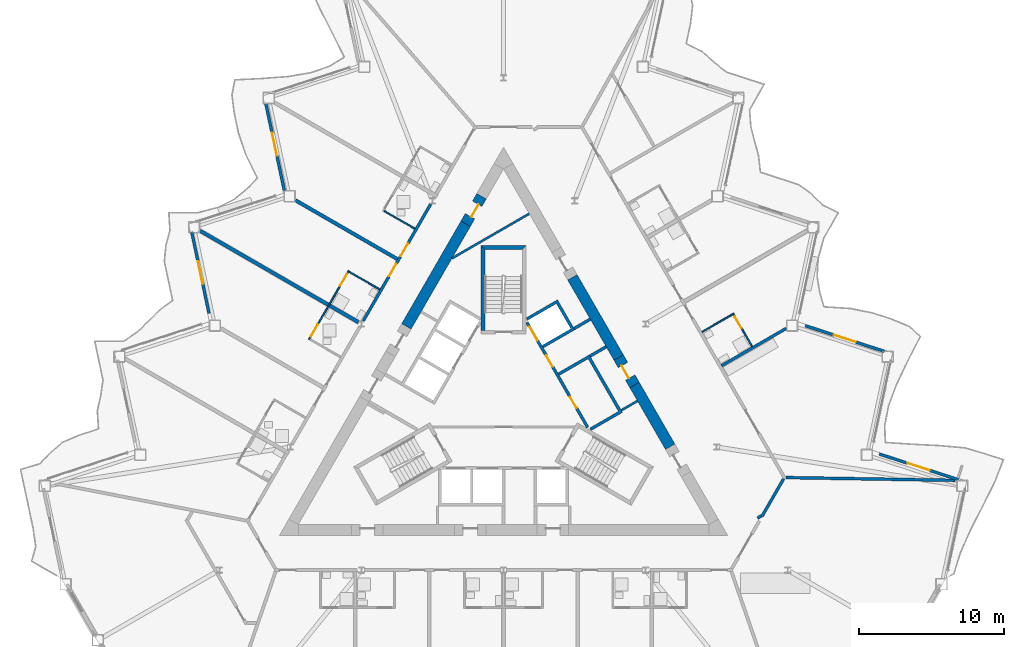
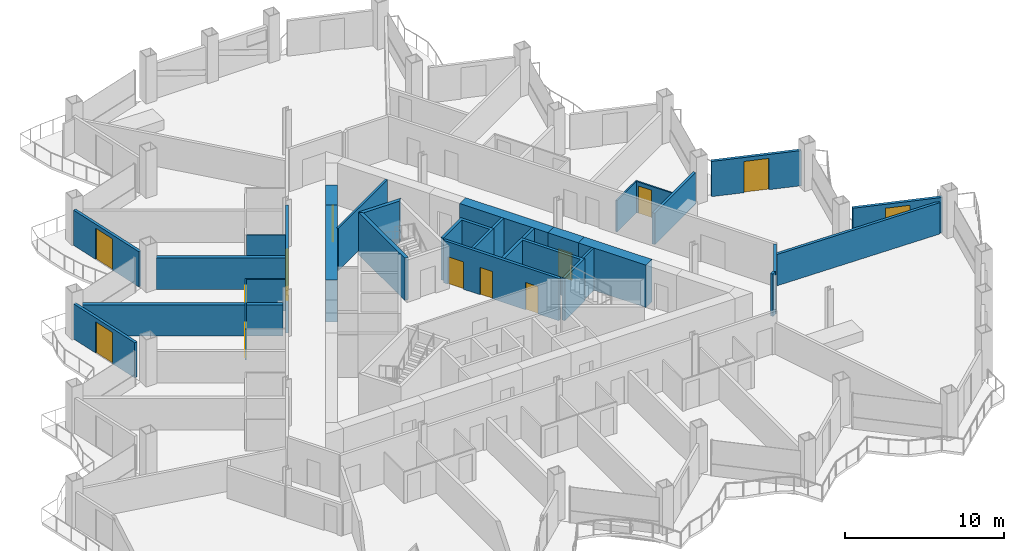
# One storey, part 13 of 23: 30 walls, 14 doors, 14 openings.
"""IFC4 building model written with IfcOpenShell, lengths in metres."""

from ifc_helpers import new_model, si_unit, direction, frame, frame_2d, origin, place, context, subcontext, project, spatial, polyline, rectangle, outline, extrude, material, layer, layer_set, type_object, element, fill, save


model = new_model("IFC4")

# Units and contexts
model_context = context("Model", 3, precision=1e-05, world=origin(), true_north=direction((0.0, 1.0)))
body_context = subcontext(model_context, "Body", "Model", "MODEL_VIEW")
ifc_project = project(units=[si_unit("LENGTHUNIT", "METRE"), si_unit("AREAUNIT", "SQUARE_METRE"), si_unit("VOLUMEUNIT", "CUBIC_METRE"), si_unit("PLANEANGLEUNIT", "RADIAN"), si_unit("MASSUNIT", "GRAM", prefix="KILO")], contexts=[model_context])

# Site, building, storey
site_placement = place(None, origin())
site = spatial("IfcSite", under=ifc_project, at=site_placement, CompositionType="ELEMENT")
building_placement = place(site_placement, origin())
building = spatial("IfcBuilding", under=site, at=building_placement, Name="Cormorant Prow Tower", CompositionType="ELEMENT")
storey_placement = place(building_placement, frame((0.0, 0.0, 187.199951171875)))
storey = spatial("IfcBuildingStorey", under=building, at=storey_placement, Name="L40", CompositionType="ELEMENT", Elevation=187.199951171875)

# Walls
ifc_material_1 = material(Name="Gypsum board partition")
ifc_layer_1 = layer(ifc_material_1, 0.14990234375)
ifc_layer_set_1 = layer_set([ifc_layer_1], Name="Gypsum board partition")
wall_type_1 = type_object("IfcWallType", Name="Core partition 150", PredefinedType="PARTITIONING", material=ifc_layer_set_1)
wall_1_placement = place(storey_placement, frame((9.265625, 0.349365234375, 0.0), z_axis=(0.0, 0.0, 1.0), x_axis=(-0.866003189247, -0.500038474733, 0.0)))
element("IfcWall", 1, at=wall_1_placement, inside=storey, type_object=wall_type_1, Name="Service room partition", PredefinedType="PARTITIONING", context=body_context, shape_type="SweptSolid", body=[
    extrude(rectangle(XDim=1.29296875, YDim=0.14990234375, at=frame_2d((0.646484375, 0.0))), origin(), (0.0, 0.0, 1.0), 3.25),
])
wall_2_placement = place(storey_placement, frame((1.78515625, 13.305908203125, 0.0), z_axis=(0.0, 0.0, 1.0), x_axis=(-0.866038319186, -0.499977629202, 0.0)))
element("IfcWall", 2, at=wall_2_placement, inside=storey, type_object=wall_type_1, Name="Service room partition", PredefinedType="PARTITIONING", context=body_context, shape_type="SweptSolid", body=[
    extrude(rectangle(XDim=6.183837890625, YDim=0.14990234375, at=frame_2d((3.091796875, 0.0))), origin(), (0.0, 0.0, 1.0), 3.25),
])
ifc_material_2 = material(Name="Concrete 8000 psi", Category="concrete")
ifc_layer_2 = layer(ifc_material_2, 0.75)
ifc_layer_set_2 = layer_set([ifc_layer_2], Name="Concrete 8000 psi")
wall_type_2 = type_object("IfcWallType", Name="Core shear wall 750", PredefinedType="SHEAR", material=ifc_layer_set_2)
wall_3_placement = place(storey_placement, frame((7.964111328125, 3.353759765625, 0.0), z_axis=(0.0, 0.0, 1.0), x_axis=(-0.50002928721, 0.866008494146, 0.0)))
element("IfcWall", 3, at=wall_3_placement, inside=storey, type_object=wall_type_2, Name="Core wall", PredefinedType="SHEAR", context=body_context, shape_type="SweptSolid", body=[
    extrude(rectangle(XDim=6.4052734375, YDim=0.75, at=frame_2d((3.20263671875, 0.0))), origin(), (0.0, 0.0, 1.0), 3.25),
])
wall_4_placement = place(storey_placement, frame((11.52685546875, -2.817138671875, 0.0), z_axis=(0.0, 0.0, 1.0), x_axis=(-0.50001992892, 0.866013897511, 0.0)))
element("IfcWall", 4, at=wall_4_placement, inside=storey, type_object=wall_type_2, Name="Core wall", PredefinedType="SHEAR", context=body_context, shape_type="SweptSolid", body=[
    extrude(rectangle(XDim=4.925537109375, YDim=0.75, at=frame_2d((2.462890625, 0.0))), origin(), (0.0, 0.0, 1.0), 3.25),
])
wall_5_placement = place(storey_placement, frame((-2.622314453125, 12.605712890625, 0.0), z_axis=(0.0, 0.0, 1.0), x_axis=(-0.500014611105, -0.866016967894, 0.0)))
element("IfcWall", 5, at=wall_5_placement, inside=storey, type_object=wall_type_2, Name="Core wall", PredefinedType="SHEAR", context=body_context, shape_type="SweptSolid", body=[
    extrude(rectangle(XDim=8.197998046875, YDim=0.75, at=frame_2d((4.09912109375, 0.0))), origin(), (0.0, 0.0, 1.0), 3.25),
])

# Wall, opening, door
wall_6_placement = place(storey_placement, frame((9.064208984375, 1.448486328125, 0.0), z_axis=(0.0, 0.0, 1.0), x_axis=(-0.50002983664, 0.866008176907, 0.0)))
wall_6 = element("IfcWall", 6, at=wall_6_placement, inside=storey, type_object=wall_type_2, Name="Core wall door panel", PredefinedType="SHEAR", context=body_context, shape_type="SweptSolid", body=[
    extrude(rectangle(XDim=2.199951171875, YDim=0.75, at=frame_2d((1.10009765625, 0.0))), origin(), (0.0, 0.0, 1.0), 3.25),
])
opening_1_placement = place(wall_6_placement, frame((0.60009765625, 0.0, 0.0)))
opening_1 = element("IfcOpeningElement", 7, at=opening_1_placement, cuts=wall_6, Name="Opening L40-C18", PredefinedType="OPENING", context=body_context, shape_type="SweptSolid", body=[
    extrude(rectangle(XDim=1.0, YDim=2.10009765625, at=frame_2d((0.5, 1.050048828125))), frame((0.0, 0.385009765625, 0.0), z_axis=(0.0, -1.0, 0.0), x_axis=(1.0, 0.0, 0.0)), (0.0, 0.0, 1.0), 0.77001953125),
])
ifc_material_3 = material(Name="Painted steel", Category="steel")
door_type_1 = type_object("IfcDoorType", Name="Service door 1000x2100", OperationType="NOTDEFINED", PredefinedType="DOOR", material=ifc_material_3)
door_1_placement = place(opening_1_placement, origin())
door_1 = element("IfcDoor", 8, at=door_1_placement, inside=storey, type_object=door_type_1, Name="Core door, Housekeeping store", OperationType="SINGLE_SWING_LEFT", OverallHeight=2.10009765625, OverallWidth=1.0, PredefinedType="DOOR", context=body_context, shape_type="SweptSolid", body=[
    extrude(rectangle(XDim=1.0, YDim=2.10009765625, at=frame_2d((0.5, 1.050048828125))), frame((0.0, 0.1298828125, 0.0), z_axis=(0.0, -1.0, 0.0), x_axis=(1.0, 0.0, 0.0)), (0.0, 0.0, 1.0), 0.050048828125),
])
fill(opening_1, door_1)

wall_7_placement = place(storey_placement, frame((-1.5224609375, 14.510986328125, 0.0), z_axis=(0.0, 0.0, 1.0), x_axis=(-0.499946605688, -0.86605622881, 0.0)))
wall_7 = element("IfcWall", 9, at=wall_7_placement, inside=storey, type_object=wall_type_2, Name="Core wall door panel", PredefinedType="SHEAR", context=body_context, shape_type="SweptSolid", body=[
    extrude(rectangle(XDim=2.199951171875, YDim=0.75, at=frame_2d((1.10009765625, 0.0))), origin(), (0.0, 0.0, 1.0), 3.25),
])
opening_2_placement = place(wall_7_placement, frame((0.60009765625, 0.0, 0.0)))
opening_2 = element("IfcOpeningElement", 10, at=opening_2_placement, cuts=wall_7, Name="Opening L40-C21", PredefinedType="OPENING", context=body_context, shape_type="SweptSolid", body=[
    extrude(rectangle(XDim=1.0, YDim=2.10009765625, at=frame_2d((0.5, 1.050048828125))), frame((0.0, 0.385009765625, 0.0), z_axis=(0.0, -1.0, 0.0), x_axis=(1.0, 0.0, 0.0)), (0.0, 0.0, 1.0), 0.77001953125),
])
door_2_placement = place(opening_2_placement, origin())
door_2 = element("IfcDoor", 11, at=door_2_placement, inside=storey, type_object=door_type_1, Name="Core door, Refuse store", OperationType="SINGLE_SWING_RIGHT", OverallHeight=2.10009765625, OverallWidth=1.0, PredefinedType="DOOR", context=body_context, shape_type="SweptSolid", body=[
    extrude(rectangle(XDim=1.0, YDim=2.10009765625, at=frame_2d((0.5, 1.050048828125))), frame((0.0, 0.1298828125, 0.0), z_axis=(0.0, -1.0, 0.0), x_axis=(1.0, 0.0, 0.0)), (0.0, 0.0, 1.0), 0.050048828125),
])
fill(opening_2, door_2)

# Wall, openings, doors
ifc_material_4 = material(Name="Gypsum board corridor wall")
ifc_layer_3 = layer(ifc_material_4, 0.199951171875)
ifc_layer_set_3 = layer_set([ifc_layer_3], Name="Gypsum board corridor wall")
wall_type_3 = type_object("IfcWallType", Name="Corridor wall 200", PredefinedType="PARTITIONING", material=ifc_layer_set_3)
wall_8_placement = place(storey_placement, frame((-9.705078125, 5.88818359375, 0.0), z_axis=(0.0, 0.0, 1.0), x_axis=(0.50000393355, 0.866023132736, 0.0)))
wall_8 = element("IfcWall", 12, at=wall_8_placement, inside=storey, type_object=wall_type_3, Name="Corridor wall", PredefinedType="PARTITIONING", context=body_context, shape_type="SweptSolid", body=[
    extrude(rectangle(XDim=9.3349609375, YDim=0.199951171875, at=frame_2d((4.66748046875, 0.0))), origin(), (0.0, 0.0, 1.0), 3.25),
])
opening_3_placement = place(wall_8_placement, frame((5.171875, 0.0, 0.0)))
opening_3 = element("IfcOpeningElement", 13, at=opening_3_placement, cuts=wall_8, Name="Opening L40-F26", PredefinedType="OPENING", context=body_context, shape_type="SweptSolid", body=[
    extrude(rectangle(XDim=1.0, YDim=2.10009765625, at=frame_2d((0.5, 1.050048828125))), frame((0.0, 0.10986328125, 0.0), z_axis=(0.0, -1.0, 0.0), x_axis=(1.0, 0.0, 0.0)), (0.0, 0.0, 1.0), 0.219970703125),
])
opening_4_placement = place(wall_8_placement, frame((3.564697265625, 0.0, 0.0)))
opening_4 = element("IfcOpeningElement", 14, at=opening_4_placement, cuts=wall_8, Name="Opening L40-F28", PredefinedType="OPENING", context=body_context, shape_type="SweptSolid", body=[
    extrude(rectangle(XDim=1.0, YDim=2.10009765625, at=frame_2d((0.5, 1.050048828125))), frame((0.0, 0.10986328125, 0.0), z_axis=(0.0, -1.0, 0.0), x_axis=(1.0, 0.0, 0.0)), (0.0, 0.0, 1.0), 0.219970703125),
])
ifc_material_5 = material(Name="Timber door leaf", Category="wood")
door_type_2 = type_object("IfcDoorType", Name="Flat or room entrance door 1000x2100", OperationType="NOTDEFINED", PredefinedType="DOOR", material=ifc_material_5)
door_3_placement = place(opening_3_placement, origin())
door_3 = element("IfcDoor", 15, at=door_3_placement, inside=storey, type_object=door_type_2, Name="Guest room door", OperationType="SINGLE_SWING_LEFT", OverallHeight=2.10009765625, OverallWidth=1.0, PredefinedType="DOOR", context=body_context, shape_type="SweptSolid", body=[
    extrude(rectangle(XDim=1.0, YDim=2.10009765625, at=frame_2d((0.5, 1.050048828125))), frame((0.0, 0.02490234375, 0.0), z_axis=(0.0, -1.0, 0.0), x_axis=(1.0, 0.0, 0.0)), (0.0, 0.0, 1.0), 0.050048828125),
])
fill(opening_3, door_3)
door_4_placement = place(opening_4_placement, origin())
door_4 = element("IfcDoor", 16, at=door_4_placement, inside=storey, type_object=door_type_2, Name="Guest room door", OperationType="SINGLE_SWING_RIGHT", OverallHeight=2.10009765625, OverallWidth=1.0, PredefinedType="DOOR", context=body_context, shape_type="SweptSolid", body=[
    extrude(rectangle(XDim=1.0, YDim=2.10009765625, at=frame_2d((0.5, 1.050048828125))), frame((0.0, 0.02490234375, 0.0), z_axis=(0.0, -1.0, 0.0), x_axis=(1.0, 0.0, 0.0)), (0.0, 0.0, 1.0), 0.050048828125),
])
fill(opening_4, door_4)

# Walls
wall_9_placement = place(storey_placement, frame((17.875, -7.635498046875, 0.0), z_axis=(0.0, 0.0, 1.0), x_axis=(0.499952404951, 0.866052881055, 0.0)))
element("IfcWall", 17, at=wall_9_placement, inside=storey, type_object=wall_type_3, Name="Corridor wall", PredefinedType="PARTITIONING", context=body_context, shape_type="SweptSolid", body=[
    extrude(rectangle(XDim=3.002197265625, YDim=0.199951171875, at=frame_2d((1.5009765625, 0.0))), origin(), (0.0, 0.0, 1.0), 3.25),
])
wall_10_placement = place(storey_placement, frame((17.56982421875, -7.75390625, 0.0), z_axis=(0.0, 0.0, 1.0), x_axis=(0.866054481515, 0.499949632511, 0.0)))
element("IfcWall", 18, at=wall_10_placement, inside=storey, type_object=wall_type_3, Name="Corridor wall", PredefinedType="PARTITIONING", context=body_context, shape_type="SweptSolid", body=[
    extrude(rectangle(XDim=0.31005859375, YDim=0.199951171875, at=frame_2d((0.155029296875, 0.0))), origin(), (0.0, 0.0, 1.0), 3.25),
])
ifc_material_6 = material(Name="Gypsum board demising wall")
ifc_layer_4 = layer(ifc_material_6, 0.199951171875)
ifc_layer_set_4 = layer_set([ifc_layer_4], Name="Gypsum board demising wall")
wall_type_4 = type_object("IfcWallType", Name="Demising wall 200", PredefinedType="PARTITIONING", material=ifc_layer_set_4)
wall_11_placement = place(storey_placement, frame((19.52587890625, -4.950439453125, 0.0), z_axis=(0.0, 0.0, 1.0), x_axis=(0.99986514458, -0.016422321819, 0.0)))
element("IfcWall", 19, at=wall_11_placement, inside=storey, type_object=wall_type_4, Name="Demising wall", PredefinedType="PARTITIONING", context=body_context, shape_type="SweptSolid", body=[
    extrude(rectangle(XDim=11.714599609375, YDim=0.199951171875, at=frame_2d((5.857421875, 0.0))), origin(), (0.0, 0.0, 1.0), 2.404296875),
])
wall_12_placement = place(storey_placement, frame((15.07666015625, 2.7841796875, 0.0), z_axis=(0.0, 0.0, 1.0), x_axis=(0.866020469142, 0.500008546953, 0.0)))
element("IfcWall", 20, at=wall_12_placement, inside=storey, type_object=wall_type_4, Name="Demising wall", PredefinedType="PARTITIONING", context=body_context, shape_type="SweptSolid", body=[
    extrude(rectangle(XDim=5.1708984375, YDim=0.199951171875, at=frame_2d((2.58544921875, 0.0))), origin(), (0.0, 0.0, 1.0), 2.404296875),
])

# Wall, openings, doors
ifc_material_7 = material(Name="Gypsum board partition")
ifc_layer_5 = layer(ifc_material_7, 0.10009765625)
ifc_layer_set_5 = layer_set([ifc_layer_5], Name="Gypsum board partition")
wall_type_5 = type_object("IfcWallType", Name="Internal partition 100", PredefinedType="PARTITIONING", material=ifc_layer_set_5)
wall_13_placement = place(storey_placement, frame((-13.455078125, 4.593017578125, 0.0), z_axis=(0.0, 0.0, 1.0), x_axis=(0.500015767406, 0.866016300277, 0.0)))
wall_13 = element("IfcWall", 21, at=wall_13_placement, inside=storey, type_object=wall_type_5, Name="Internal partition", PredefinedType="PARTITIONING", context=body_context, shape_type="SweptSolid", body=[
    extrude(rectangle(XDim=5.499755859375, YDim=0.10009765625, at=frame_2d((2.75, 0.0))), origin(), (0.0, 0.0, 1.0), 2.404296875),
])
opening_5_placement = place(wall_13_placement, frame((4.300048828125, 0.0, 0.0)))
opening_5 = element("IfcOpeningElement", 22, at=opening_5_placement, cuts=wall_13, Name="Opening L40-F29", PredefinedType="OPENING", context=body_context, shape_type="SweptSolid", body=[
    extrude(rectangle(XDim=0.949951171875, YDim=2.10009765625, at=frame_2d((0.47509765625, 1.050048828125))), frame((0.0, 0.06005859375, 0.0), z_axis=(0.0, -1.0, 0.0), x_axis=(1.0, 0.0, 0.0)), (0.0, 0.0, 1.0), 0.1201171875),
])
opening_6_placement = place(wall_13_placement, frame((0.25, 0.0, 0.0)))
opening_6 = element("IfcOpeningElement", 23, at=opening_6_placement, cuts=wall_13, Name="Opening L40-F31", PredefinedType="OPENING", context=body_context, shape_type="SweptSolid", body=[
    extrude(rectangle(XDim=0.949951171875, YDim=2.10009765625, at=frame_2d((0.47509765625, 1.050048828125))), frame((0.0, 0.06005859375, 0.0), z_axis=(0.0, -1.0, 0.0), x_axis=(1.0, 0.0, 0.0)), (0.0, 0.0, 1.0), 0.1201171875),
])
ifc_material_8 = material(Name="Timber door leaf", Category="wood")
door_type_3 = type_object("IfcDoorType", Name="Bathroom door 950x2100", OperationType="NOTDEFINED", PredefinedType="DOOR", material=ifc_material_8)
door_5_placement = place(opening_5_placement, origin())
door_5 = element("IfcDoor", 24, at=door_5_placement, inside=storey, type_object=door_type_3, Name="Guest room door", OperationType="SINGLE_SWING_RIGHT", OverallHeight=2.10009765625, OverallWidth=0.949951171875, PredefinedType="DOOR", context=body_context, shape_type="SweptSolid", body=[
    extrude(rectangle(XDim=0.949951171875, YDim=2.10009765625, at=frame_2d((0.47509765625, 1.050048828125))), frame((0.0, 0.02490234375, 0.0), z_axis=(0.0, -1.0, 0.0), x_axis=(1.0, 0.0, 0.0)), (0.0, 0.0, 1.0), 0.050048828125),
])
fill(opening_5, door_5)
door_6_placement = place(opening_6_placement, origin())
door_6 = element("IfcDoor", 25, at=door_6_placement, inside=storey, type_object=door_type_3, Name="Guest room door", OperationType="SINGLE_SWING_LEFT", OverallHeight=2.10009765625, OverallWidth=0.949951171875, PredefinedType="DOOR", context=body_context, shape_type="SweptSolid", body=[
    extrude(rectangle(XDim=0.949951171875, YDim=2.10009765625, at=frame_2d((0.47509765625, 1.050048828125))), frame((0.0, 0.02490234375, 0.0), z_axis=(0.0, -1.0, 0.0), x_axis=(1.0, 0.0, 0.0)), (0.0, 0.0, 1.0), 0.050048828125),
])
fill(opening_6, door_6)

# Wall, opening, door
wall_14_placement = place(storey_placement, frame((15.86669921875, 6.415771484375, 0.0), z_axis=(0.0, 0.0, 1.0), x_axis=(0.500062700197, -0.865989200783, 0.0)))
wall_14 = element("IfcWall", 26, at=wall_14_placement, inside=storey, type_object=wall_type_5, Name="Internal partition", PredefinedType="PARTITIONING", context=body_context, shape_type="SweptSolid", body=[
    extrude(rectangle(XDim=2.650146484375, YDim=0.10009765625, at=frame_2d((1.3251953125, 0.0))), origin(), (0.0, 0.0, 1.0), 2.404296875),
])
opening_7_placement = place(wall_14_placement, frame((0.25, 0.0, 0.0)))
opening_7 = element("IfcOpeningElement", 27, at=opening_7_placement, cuts=wall_14, Name="Opening L40-F16", PredefinedType="OPENING", context=body_context, shape_type="SweptSolid", body=[
    extrude(rectangle(XDim=0.949951171875, YDim=2.10009765625, at=frame_2d((0.47509765625, 1.050048828125))), frame((0.0, 0.06005859375, 0.0), z_axis=(0.0, -1.0, 0.0), x_axis=(1.0, 0.0, 0.0)), (0.0, 0.0, 1.0), 0.1201171875),
])
door_7_placement = place(opening_7_placement, origin())
door_7 = element("IfcDoor", 28, at=door_7_placement, inside=storey, type_object=door_type_3, Name="Guest room door", OperationType="SINGLE_SWING_LEFT", OverallHeight=2.10009765625, OverallWidth=0.949951171875, PredefinedType="DOOR", context=body_context, shape_type="SweptSolid", body=[
    extrude(rectangle(XDim=0.949951171875, YDim=2.10009765625, at=frame_2d((0.47509765625, 1.050048828125))), frame((0.0, 0.02490234375, 0.0), z_axis=(0.0, -1.0, 0.0), x_axis=(1.0, 0.0, 0.0)), (0.0, 0.0, 1.0), 0.050048828125),
])
fill(opening_7, door_7)

# Walls
wall_15_placement = place(storey_placement, frame((-8.259765625, 13.49169921875, 0.0), z_axis=(0.0, 0.0, 1.0), x_axis=(0.866014668023, -0.500018594424, 0.0)))
element("IfcWall", 29, at=wall_15_placement, inside=storey, type_object=wall_type_5, Name="Internal partition", PredefinedType="PARTITIONING", context=body_context, shape_type="SweptSolid", body=[
    extrude(rectangle(XDim=2.4501953125, YDim=0.10009765625, at=frame_2d((1.22509765625, 0.0))), origin(), (0.0, 0.0, 1.0), 2.404296875),
])
for number, where, z_axis, x_axis, name in (
    (30, (13.726806640625, 5.12255859375, 0.0), (0.0, 0.0, 1.0), (0.866032905446, 0.499987006516, 0.0), "Internal partition"),
    (31, (-10.686767578125, 9.28759765625, 0.0), (0.0, 0.0, 1.0), (0.866032905446, -0.499987006516, 0.0), "Internal partition"),
):
    element("IfcWall", number, at=place(storey_placement, frame(where, z_axis=z_axis, x_axis=x_axis)), inside=storey, type_object=wall_type_5, Name=name, PredefinedType="PARTITIONING", context=body_context, shape_type="SweptSolid", body=[
        extrude(rectangle(XDim=2.44970703125, YDim=0.10009765625, at=frame_2d((1.224853515625, 0.0))), origin(), (0.0, 0.0, 1.0), 2.404296875),
    ])

# Wall, openings, doors
ifc_material_9 = material(Name="Concrete 5000 psi", Category="concrete")
ifc_layer_6 = layer(ifc_material_9, 0.199951171875)
ifc_layer_set_6 = layer_set([ifc_layer_6], Name="Concrete 5000 psi")
wall_type_6 = type_object("IfcWallType", Name="Lift lobby wall 200", PredefinedType="SOLIDWALL", material=ifc_layer_set_6)
wall_16_placement = place(storey_placement, frame((5.817138671875, -1.4755859375, 0.0), z_axis=(0.0, 0.0, 1.0), x_axis=(-0.500002616675, 0.866023893041, 0.0)))
wall_16 = element("IfcWall", 32, at=wall_16_placement, inside=storey, type_object=wall_type_6, Name="Lift lobby wall, ENE block", PredefinedType="SOLIDWALL", context=body_context, shape_type="SweptSolid", body=[
    extrude(rectangle(XDim=8.373046875, YDim=0.199951171875, at=frame_2d((4.1865234375, 0.0))), origin(), (0.0, 0.0, 1.0), 3.25),
])
opening_8_placement = place(wall_16_placement, frame((1.53662109375, 0.0, 0.0)))
opening_8 = element("IfcOpeningElement", 33, at=opening_8_placement, cuts=wall_16, Name="Opening L40-C05", PredefinedType="OPENING", context=body_context, shape_type="SweptSolid", body=[
    extrude(rectangle(XDim=0.89990234375, YDim=2.10009765625, at=frame_2d((0.449951171875, 1.050048828125))), frame((0.0, 0.10986328125, 0.0), z_axis=(0.0, -1.0, 0.0), x_axis=(1.0, 0.0, 0.0)), (0.0, 0.0, 1.0), 0.219970703125),
])
opening_9_placement = place(wall_16_placement, frame((4.836669921875, 0.0, 0.0)))
opening_9 = element("IfcOpeningElement", 34, at=opening_9_placement, cuts=wall_16, Name="Opening L40-C06", PredefinedType="OPENING", context=body_context, shape_type="SweptSolid", body=[
    extrude(rectangle(XDim=0.89990234375, YDim=2.10009765625, at=frame_2d((0.449951171875, 1.050048828125))), frame((0.0, 0.10986328125, 0.0), z_axis=(0.0, -1.0, 0.0), x_axis=(1.0, 0.0, 0.0)), (0.0, 0.0, 1.0), 0.219970703125),
])
opening_10_placement = place(wall_16_placement, frame((6.9365234375, 0.0, 0.0)))
opening_10 = element("IfcOpeningElement", 35, at=opening_10_placement, cuts=wall_16, Name="Opening L40-C07", PredefinedType="OPENING", context=body_context, shape_type="SweptSolid", body=[
    extrude(rectangle(XDim=1.10009765625, YDim=2.10009765625, at=frame_2d((0.550048828125, 1.050048828125))), frame((0.0, 0.10986328125, 0.0), z_axis=(0.0, -1.0, 0.0), x_axis=(1.0, 0.0, 0.0)), (0.0, 0.0, 1.0), 0.219970703125),
])
ifc_material_10 = material(Name="Painted steel", Category="steel")
door_type_4 = type_object("IfcDoorType", Name="Lift landing door 1100x2100", OperationType="SLIDING_TO_LEFT", PredefinedType="DOOR", material=ifc_material_10)
door_8_placement = place(opening_10_placement, origin())
door_8 = element("IfcDoor", 36, at=door_8_placement, inside=storey, type_object=door_type_4, Name="Landing door MR1", OperationType="SLIDING_TO_LEFT", OverallHeight=2.10009765625, OverallWidth=1.10009765625, PredefinedType="DOOR", context=body_context, shape_type="SweptSolid", body=[
    extrude(rectangle(XDim=1.10009765625, YDim=2.10009765625, at=frame_2d((0.550048828125, 1.050048828125))), frame((0.0, 0.02490234375, 0.0), z_axis=(0.0, -1.0, 0.0), x_axis=(1.0, 0.0, 0.0)), (0.0, 0.0, 1.0), 0.050048828125),
])
fill(opening_10, door_8)
ifc_material_11 = material(Name="Painted steel", Category="steel")
door_type_5 = type_object("IfcDoorType", Name="Service door 900x2100", OperationType="NOTDEFINED", PredefinedType="DOOR", material=ifc_material_11)
door_9_placement = place(opening_8_placement, origin())
door_9 = element("IfcDoor", 37, at=door_9_placement, inside=storey, type_object=door_type_5, Name="Service door, Refuse store", OperationType="SINGLE_SWING_LEFT", OverallHeight=2.10009765625, OverallWidth=0.89990234375, PredefinedType="DOOR", context=body_context, shape_type="SweptSolid", body=[
    extrude(rectangle(XDim=0.89990234375, YDim=2.10009765625, at=frame_2d((0.449951171875, 1.050048828125))), frame((0.0, 0.02490234375, 0.0), z_axis=(0.0, -1.0, 0.0), x_axis=(1.0, 0.0, 0.0)), (0.0, 0.0, 1.0), 0.050048828125),
])
fill(opening_8, door_9)
door_10_placement = place(opening_9_placement, origin())
door_10 = element("IfcDoor", 38, at=door_10_placement, inside=storey, type_object=door_type_5, Name="Service door, Telecom room", OperationType="SINGLE_SWING_RIGHT", OverallHeight=2.10009765625, OverallWidth=0.89990234375, PredefinedType="DOOR", context=body_context, shape_type="SweptSolid", body=[
    extrude(rectangle(XDim=0.89990234375, YDim=2.10009765625, at=frame_2d((0.449951171875, 1.050048828125))), frame((0.0, 0.02490234375, 0.0), z_axis=(0.0, -1.0, 0.0), x_axis=(1.0, 0.0, 0.0)), (0.0, 0.0, 1.0), 0.050048828125),
])
fill(opening_9, door_10)

# Walls
ifc_material_12 = material(Name="Concrete 8000 psi", Category="concrete")
ifc_layer_7 = layer(ifc_material_12, 0.199951171875)
ifc_layer_set_7 = layer_set([ifc_layer_7], Name="Concrete 8000 psi")
wall_type_7 = type_object("IfcWallType", Name="Lift shaft wall 200", PredefinedType="SHEAR", material=ifc_layer_set_7)
wall_17_placement = place(storey_placement, origin())
element("IfcWall", 39, at=wall_17_placement, inside=storey, type_object=wall_type_7, Name="Lift shaft walls, ENE block", PredefinedType="SHEAR", context=body_context, shape_type="SweptSolid", body=[
    extrude(outline(polyline([(1.560546875, 6.09716796875), (3.730712890625, 7.35009765625), (4.930908203125, 5.271728515625), (2.760498046875, 4.018798828125), (2.660400390625, 4.19189453125), (4.65234375, 5.341796875), (3.65234375, 7.073974609375), (1.660400390625, 5.923828125), (1.560546875, 6.09716796875)])), origin(), (0.0, 0.0, 1.0), 3.25),
])
wall_18_placement = place(storey_placement, origin())
element("IfcWall", 40, at=wall_18_placement, inside=storey, type_object=wall_type_7, Name="Lift shaft walls, ENE block", PredefinedType="SHEAR", context=body_context, shape_type="SweptSolid", body=[
    extrude(outline(polyline([(3.760498046875, 2.28662109375), (5.930908203125, 3.53955078125), (8.230712890625, -0.444091796875), (6.060546875, -1.697021484375), (5.96044921875, -1.52392578125), (7.952392578125, -0.373779296875), (5.852294921875, 3.263427734375), (3.860595703125, 2.11328125), (3.760498046875, 2.28662109375)])), origin(), (0.0, 0.0, 1.0), 3.25),
])
wall_19_placement = place(storey_placement, frame((5.980712890625, 3.452880859375, 0.0), z_axis=(0.0, 0.0, 1.0), x_axis=(0.865968639725, 0.500098305348, 0.0)))
element("IfcWall", 41, at=wall_19_placement, inside=storey, type_object=wall_type_7, Name="Store side wall", PredefinedType="SHEAR", context=body_context, shape_type="SweptSolid", body=[
    extrude(rectangle(XDim=1.293212890625, YDim=0.199951171875, at=frame_2d((0.646484375, 0.0))), origin(), (0.0, 0.0, 1.0), 3.25),
])
wall_20_placement = place(storey_placement, frame((4.880859375, 5.3583984375, 0.0), z_axis=(0.0, 0.0, 1.0), x_axis=(0.866084958089, 0.499896834728, 0.0)))
element("IfcWall", 42, at=wall_20_placement, inside=storey, type_object=wall_type_7, Name="Store side wall", PredefinedType="SHEAR", context=body_context, shape_type="SweptSolid", body=[
    extrude(rectangle(XDim=1.292724609375, YDim=0.199951171875, at=frame_2d((0.646484375, 0.0))), origin(), (0.0, 0.0, 1.0), 3.25),
])
ifc_material_13 = material(Name="Concrete 8000 psi", Category="concrete")
ifc_layer_8 = layer(ifc_material_13, 0.25)
ifc_layer_set_8 = layer_set([ifc_layer_8], Name="Concrete 8000 psi")
wall_type_8 = type_object("IfcWallType", Name="Stair wall 250", PredefinedType="SHEAR", material=ifc_layer_set_8)
wall_21_placement = place(storey_placement, origin())
element("IfcWall", 43, at=wall_21_placement, inside=storey, type_object=wall_type_8, Name="Stair ST3 enclosure wall (end)", PredefinedType="SHEAR", context=body_context, shape_type="SweptSolid", body=[
    extrude(outline(polyline([(1.5439453125, 11.0869140625), (-1.5439453125, 11.0869140625), (-1.2939453125, 10.8369140625), (1.2939453125, 10.8369140625), (1.5439453125, 11.0869140625)])), origin(), (0.0, 0.0, 1.0), 3.25),
])
wall_22_placement = place(storey_placement, origin())
element("IfcWall", 44, at=wall_22_placement, inside=storey, type_object=wall_type_8, Name="Stair ST3 enclosure wall (flank)", PredefinedType="SHEAR", context=body_context, shape_type="SweptSolid", body=[
    extrude(outline(polyline([(-1.2939453125, 10.8369140625), (-1.5439453125, 11.0869140625), (-1.5439453125, 5.23681640625), (-1.2939453125, 5.23681640625), (-1.2939453125, 10.8369140625)])), origin(), (0.0, 0.0, 1.0), 3.25),
])
ifc_material_14 = material(Name="Acoustic gypsum party wall")
ifc_layer_9 = layer(ifc_material_14, 0.25)
ifc_layer_set_9 = layer_set([ifc_layer_9], Name="Acoustic gypsum party wall")
wall_type_9 = type_object("IfcWallType", Name="Suite party wall 250", PredefinedType="PARTITIONING", material=ifc_layer_set_9)
wall_23_placement = place(storey_placement, frame((-20.99951171875, 12.1240234375, 0.0), z_axis=(0.0, 0.0, 1.0), x_axis=(0.866025883649, -0.499999168849, 0.0)))
element("IfcWall", 45, at=wall_23_placement, inside=storey, type_object=wall_type_9, Name="Suite party wall", PredefinedType="PARTITIONING", context=body_context, shape_type="SweptSolid", body=[
    extrude(rectangle(XDim=12.65234375, YDim=0.25, at=frame_2d((6.326171875, 0.0))), origin(), (0.0, 0.0, 1.0), 2.404296875),
])
wall_24_placement = place(storey_placement, frame((-14.389892578125, 14.228271484375, 0.0), z_axis=(0.0, 0.0, 1.0), x_axis=(0.866031008936, -0.499990291468, 0.0)))
element("IfcWall", 46, at=wall_24_placement, inside=storey, type_object=wall_type_9, Name="Suite party wall", PredefinedType="PARTITIONING", context=body_context, shape_type="SweptSolid", body=[
    extrude(rectangle(XDim=8.127197265625, YDim=0.25, at=frame_2d((4.0634765625, 0.0))), origin(), (0.0, 0.0, 1.0), 2.404296875),
])

# Wall, opening, door
ifc_material_15 = material(Name="Terracotta", Category="masonry")
ifc_layer_10 = layer(ifc_material_15, 0.199951171875)
ifc_layer_set_10 = layer_set([ifc_layer_10], Name="Terracotta")
wall_type_10 = type_object("IfcWallType", Name="Terracotta jamb wall 200", PredefinedType="SOLIDWALL", material=ifc_layer_set_10)
wall_25_placement = place(storey_placement, frame((31.470703125, -5.101318359375, 0.0), z_axis=(0.0, 0.0, 1.0), x_axis=(-0.951053678976, 0.30902572661, 0.0)))
wall_25 = element("IfcWall", 47, at=wall_25_placement, inside=storey, type_object=wall_type_10, Name="Terracotta jamb wall ENE01", PredefinedType="SOLIDWALL", context=body_context, shape_type="SweptSolid", body=[
    extrude(rectangle(XDim=5.76318359375, YDim=0.199951171875, at=frame_2d((2.881591796875, 0.0))), origin(), (0.0, 0.0, 1.0), 2.700927734375),
])
opening_11_placement = place(wall_25_placement, frame((2.08154296875, 0.0, 0.0)))
opening_11 = element("IfcOpeningElement", 48, at=opening_11_placement, cuts=wall_25, Name="Opening ED40.06", PredefinedType="OPENING", context=body_context, shape_type="SweptSolid", body=[
    extrude(rectangle(XDim=1.60009765625, YDim=2.39990234375, at=frame_2d((0.800048828125, 1.199951171875))), frame((0.0, 0.10986328125, 0.0), z_axis=(0.0, -1.0, 0.0), x_axis=(1.0, 0.0, 0.0)), (0.0, 0.0, 1.0), 0.219970703125),
])
ifc_material_16 = material(Name="Aluminium 6063-T6", Category="aluminium")
door_type_6 = type_object("IfcDoorType", Name="Balcony door 1600x2400", OperationType="DOUBLE_DOOR_SINGLE_SWING", PredefinedType="DOOR", material=ifc_material_16)
door_11_placement = place(opening_11_placement, origin())
door_11 = element("IfcDoor", 49, at=door_11_placement, inside=storey, type_object=door_type_6, Name="Balcony door ENE01 ED40.06", OperationType="DOUBLE_DOOR_SINGLE_SWING", OverallHeight=2.39990234375, OverallWidth=1.60009765625, PredefinedType="DOOR", context=body_context, shape_type="SweptSolid", body=[
    extrude(rectangle(XDim=1.60009765625, YDim=2.39990234375, at=frame_2d((0.800048828125, 1.199951171875))), frame((0.0, 0.02490234375, 0.0), z_axis=(0.0, -1.0, 0.0), x_axis=(1.0, 0.0, 0.0)), (0.0, 0.0, 1.0), 0.050048828125),
])
fill(opening_11, door_11)

wall_26_placement = place(storey_placement, frame((26.343505859375, 3.779052734375, 0.0), z_axis=(0.0, 0.0, 1.0), x_axis=(-0.951049633358, 0.309038177075, 0.0)))
wall_26 = element("IfcWall", 50, at=wall_26_placement, inside=storey, type_object=wall_type_10, Name="Terracotta jamb wall ENE03", PredefinedType="SOLIDWALL", context=body_context, shape_type="SweptSolid", body=[
    extrude(rectangle(XDim=5.762939453125, YDim=0.199951171875, at=frame_2d((2.88134765625, 0.0))), origin(), (0.0, 0.0, 1.0), 2.700927734375),
])
opening_12_placement = place(wall_26_placement, frame((2.08154296875, 0.0, 0.0)))
opening_12 = element("IfcOpeningElement", 51, at=opening_12_placement, cuts=wall_26, Name="Opening ED40.07", PredefinedType="OPENING", context=body_context, shape_type="SweptSolid", body=[
    extrude(rectangle(XDim=1.60009765625, YDim=2.39990234375, at=frame_2d((0.800048828125, 1.199951171875))), frame((0.0, 0.10986328125, 0.0), z_axis=(0.0, -1.0, 0.0), x_axis=(1.0, 0.0, 0.0)), (0.0, 0.0, 1.0), 0.219970703125),
])
door_12_placement = place(opening_12_placement, origin())
door_12 = element("IfcDoor", 52, at=door_12_placement, inside=storey, type_object=door_type_6, Name="Balcony door ENE03 ED40.07", OperationType="DOUBLE_DOOR_SINGLE_SWING", OverallHeight=2.39990234375, OverallWidth=1.60009765625, PredefinedType="DOOR", context=body_context, shape_type="SweptSolid", body=[
    extrude(rectangle(XDim=1.60009765625, YDim=2.39990234375, at=frame_2d((0.800048828125, 1.199951171875))), frame((0.0, 0.02490234375, 0.0), z_axis=(0.0, -1.0, 0.0), x_axis=(1.0, 0.0, 0.0)), (0.0, 0.0, 1.0), 0.050048828125),
])
fill(opening_12, door_12)

wall_27_placement = place(storey_placement, frame((-16.444580078125, 20.9248046875, 0.0), z_axis=(0.0, 0.0, 1.0), x_axis=(0.20791050027, -0.978147853792, 0.0)))
wall_27 = element("IfcWall", 53, at=wall_27_placement, inside=storey, type_object=wall_type_10, Name="Terracotta jamb wall WNW03", PredefinedType="SOLIDWALL", context=body_context, shape_type="SweptSolid", body=[
    extrude(rectangle(XDim=6.15087890625, YDim=0.199951171875, at=frame_2d((3.075439453125, 0.0))), origin(), (0.0, 0.0, 1.0), 2.700927734375),
])
opening_13_placement = place(wall_27_placement, frame((2.08154296875, 0.0, 0.0)))
opening_13 = element("IfcOpeningElement", 54, at=opening_13_placement, cuts=wall_27, Name="Opening ED40.12", PredefinedType="OPENING", context=body_context, shape_type="SweptSolid", body=[
    extrude(rectangle(XDim=1.60009765625, YDim=2.39990234375, at=frame_2d((0.800048828125, 1.199951171875))), frame((0.0, 0.10986328125, 0.0), z_axis=(0.0, -1.0, 0.0), x_axis=(1.0, 0.0, 0.0)), (0.0, 0.0, 1.0), 0.219970703125),
])
door_13_placement = place(opening_13_placement, origin())
door_13 = element("IfcDoor", 55, at=door_13_placement, inside=storey, type_object=door_type_6, Name="Balcony door WNW03 ED40.12", OperationType="DOUBLE_DOOR_SINGLE_SWING", OverallHeight=2.39990234375, OverallWidth=1.60009765625, PredefinedType="DOOR", context=body_context, shape_type="SweptSolid", body=[
    extrude(rectangle(XDim=1.60009765625, YDim=2.39990234375, at=frame_2d((0.800048828125, 1.199951171875))), frame((0.0, 0.02490234375, 0.0), z_axis=(0.0, -1.0, 0.0), x_axis=(1.0, 0.0, 0.0)), (0.0, 0.0, 1.0), 0.050048828125),
])
fill(opening_13, door_13)

wall_28_placement = place(storey_placement, frame((-21.57177734375, 12.044189453125, 0.0), z_axis=(0.0, 0.0, 1.0), x_axis=(0.207914487103, -0.978147006361, 0.0)))
wall_28 = element("IfcWall", 56, at=wall_28_placement, inside=storey, type_object=wall_type_10, Name="Terracotta jamb wall WNW05", PredefinedType="SOLIDWALL", context=body_context, shape_type="SweptSolid", body=[
    extrude(rectangle(XDim=5.76318359375, YDim=0.199951171875, at=frame_2d((2.881591796875, 0.0))), origin(), (0.0, 0.0, 1.0), 2.700927734375),
])
opening_14_placement = place(wall_28_placement, frame((2.08154296875, 0.0, 0.0)))
opening_14 = element("IfcOpeningElement", 57, at=opening_14_placement, cuts=wall_28, Name="Opening ED40.13", PredefinedType="OPENING", context=body_context, shape_type="SweptSolid", body=[
    extrude(rectangle(XDim=1.60009765625, YDim=2.39990234375, at=frame_2d((0.800048828125, 1.199951171875))), frame((0.0, 0.10986328125, 0.0), z_axis=(0.0, -1.0, 0.0), x_axis=(1.0, 0.0, 0.0)), (0.0, 0.0, 1.0), 0.219970703125),
])
door_14_placement = place(opening_14_placement, origin())
door_14 = element("IfcDoor", 58, at=door_14_placement, inside=storey, type_object=door_type_6, Name="Balcony door WNW05 ED40.13", OperationType="DOUBLE_DOOR_SINGLE_SWING", OverallHeight=2.39990234375, OverallWidth=1.60009765625, PredefinedType="DOOR", context=body_context, shape_type="SweptSolid", body=[
    extrude(rectangle(XDim=1.60009765625, YDim=2.39990234375, at=frame_2d((0.800048828125, 1.199951171875))), frame((0.0, 0.02490234375, 0.0), z_axis=(0.0, -1.0, 0.0), x_axis=(1.0, 0.0, 0.0)), (0.0, 0.0, 1.0), 0.050048828125),
])
fill(opening_14, door_14)

save(model, "model.ifc")
